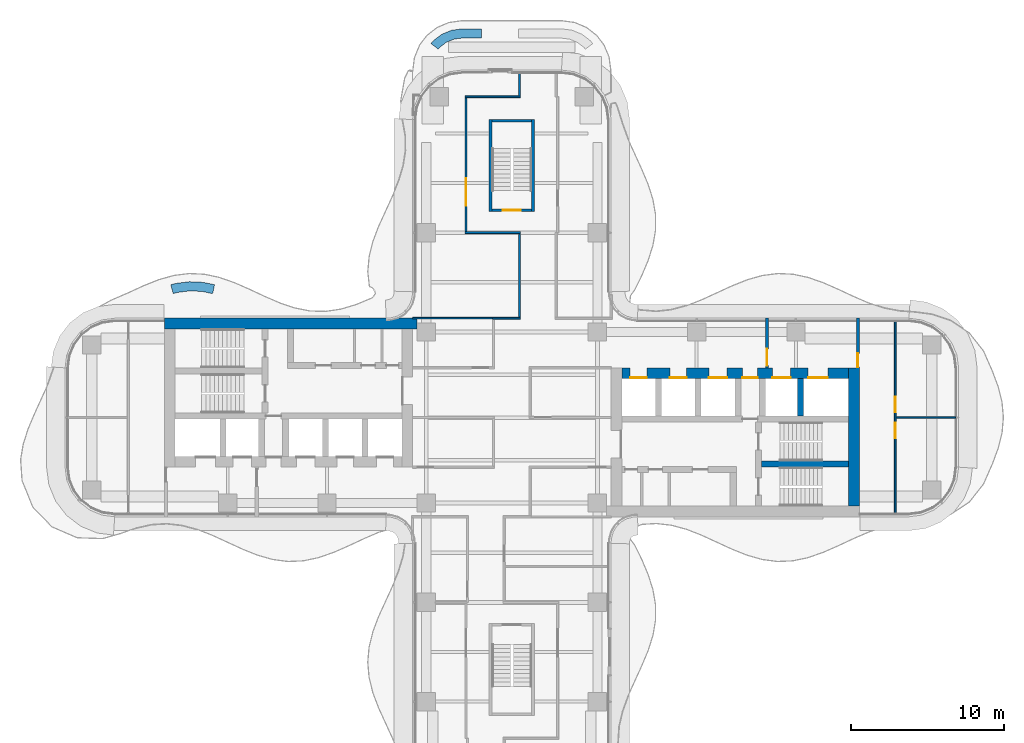
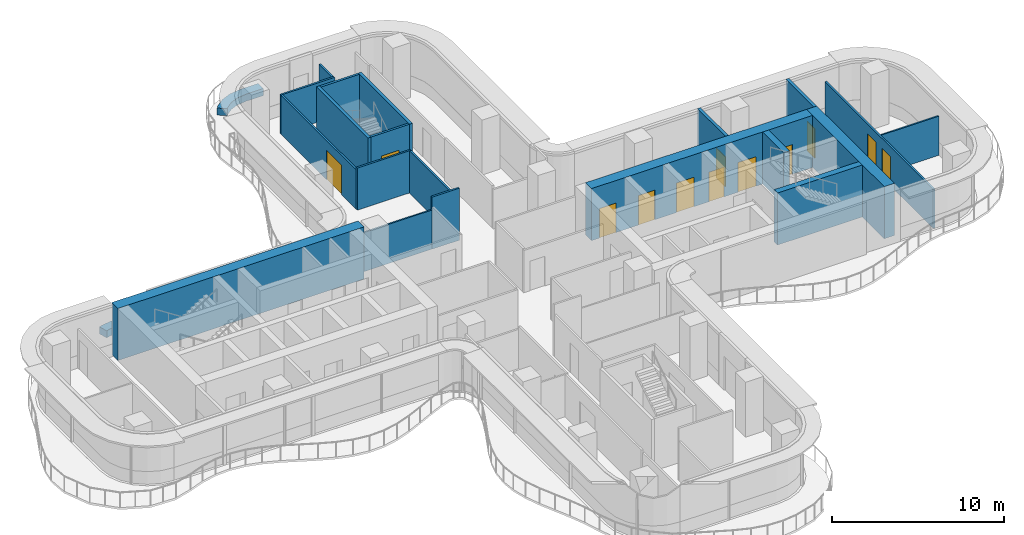
# One storey, part 14 of 17: 22 walls, 12 doors, 12 openings.
"""IFC4 building model written with IfcOpenShell, lengths in metres."""

from ifc_helpers import new_model, si_unit, direction, frame, frame_2d, origin, place, context, subcontext, project, spatial, polyline, rectangle, outline, extrude, source, transform, mapped, material, layer, layer_set, type_object, element, fill, save


model = new_model("IFC4")

# Units and contexts
model_context = context("Model", 3, precision=1e-05, world=origin(), true_north=direction((0.0, 1.0)))
body_context = subcontext(model_context, "Body", "Model", "MODEL_VIEW")
ifc_project = project(units=[si_unit("LENGTHUNIT", "METRE"), si_unit("AREAUNIT", "SQUARE_METRE"), si_unit("VOLUMEUNIT", "CUBIC_METRE"), si_unit("PLANEANGLEUNIT", "RADIAN"), si_unit("MASSUNIT", "GRAM", prefix="KILO")], contexts=[model_context])

# Site, building, storey
site_placement = place(None, origin())
site = spatial("IfcSite", under=ifc_project, at=site_placement, CompositionType="ELEMENT")
building_placement = place(site_placement, origin())
building = spatial("IfcBuilding", under=site, at=building_placement, Name="Trellis Farm Tower", CompositionType="ELEMENT")
storey_placement = place(building_placement, frame((0.0, 0.0, 185.39990234375)))
storey = spatial("IfcBuildingStorey", under=building, at=storey_placement, Name="L40", CompositionType="ELEMENT", Elevation=185.39990234375)

# Walls
ifc_material_1 = material(Name="Sandstone faced masonry planter", Category="masonry")
ifc_layer_1 = layer(ifc_material_1, 0.60009765625)
ifc_layer_set_1 = layer_set([ifc_layer_1], Name="PLANTER BED 600")
wall_type_1 = type_object("IfcWallType", Name="PLANTER BED 600", PredefinedType="USERDEFINED", material=ifc_layer_set_1)
placement = place(storey_placement, origin())
element("IfcWall", 1, at=placement, inside=storey, type_object=wall_type_1, Name="PLANTER bed", ObjectType="PLANTER", PredefinedType="USERDEFINED", context=body_context, shape_type="SweptSolid", body=[
    extrude(outline(polyline([(-4.59765625, 25.084228515625), (-3.947509765625, 25.353515625), (-3.214111328125, 25.449951171875), (-1.969970703125, 25.449951171875), (-1.969970703125, 24.85009765625), (-3.174560546875, 24.85009765625), (-3.791015625, 24.768798828125), (-4.294921875, 24.56005859375), (-4.727783203125, 24.227783203125), (-4.814697265625, 24.114990234375), (-5.29052734375, 24.480224609375), (-5.15576171875, 24.65576171875), (-4.59765625, 25.084228515625)])), origin(), (0.0, 0.0, 1.0), 0.5),
])
element("IfcWall", 2, at=placement, inside=storey, type_object=wall_type_1, Name="PLANTER bed", ObjectType="PLANTER", PredefinedType="USERDEFINED", context=body_context, shape_type="SweptSolid", body=[
    extrude(outline(polyline([(-21.1083984375, 8.89208984375), (-20.204833984375, 8.8505859375), (-19.462158203125, 8.693603515625), (-19.586181640625, 8.1064453125), (-20.28125, 8.25341796875), (-21.083984375, 8.29052734375), (-21.898681640625, 8.186767578125), (-22.1650390625, 8.111328125), (-22.32861328125, 8.688720703125), (-22.01904296875, 8.7763671875), (-21.1083984375, 8.89208984375)])), origin(), (0.0, 0.0, 1.0), 0.5),
])
ifc_material_2 = material(Name="Concrete C70/85", Category="concrete")
ifc_layer_2 = layer(ifc_material_2, 0.699951171875)
ifc_layer_set_2 = layer_set([ifc_layer_2], Name="CORE OUTER WALL 700 CONCRETE C70/85")
wall_type_2 = type_object("IfcWallType", Name="CORE OUTER WALL 700 CONCRETE C70/85", PredefinedType="SHEAR", material=ifc_layer_set_2)
shared_shape_1 = source(origin(), body_context, "Body", "SweptSolid", [
    extrude(rectangle(XDim=9.050048828125, YDim=0.699951171875, at=frame_2d((4.52490234375, 0.0))), origin(), (0.0, 0.0, 1.0), 3.7001953125),
])
wall_3_placement = place(storey_placement, frame((22.39990234375, -5.800048828125, 0.0), z_axis=(0.0, 0.0, 1.0), x_axis=(0.0, 1.0, 0.0)))
element("IfcWall", 3, at=wall_3_placement, inside=storey, type_object=wall_type_2, Name="Core wall", PredefinedType="SHEAR", context=body_context, shape_type="MappedRepresentation", body=[
    mapped(shared_shape_1, transform((0.0, 0.0, 0.0))),
])
ifc_layer_3 = layer(ifc_material_2, 0.39990234375)
ifc_layer_set_3 = layer_set([ifc_layer_3], Name="CORE INNER WALL 400 CONCRETE C70/85")
wall_type_3 = type_object("IfcWallType", Name="CORE INNER WALL 400 CONCRETE C70/85", PredefinedType="SHEAR", material=ifc_layer_set_3)
shared_shape_2 = source(origin(), body_context, "Body", "SweptSolid", [
    extrude(rectangle(XDim=2.449951171875, YDim=0.39990234375, at=frame_2d((1.22509765625, 0.0))), origin(), (0.0, 0.0, 1.0), 3.7001953125),
])
wall_4_placement = place(storey_placement, frame((18.89990234375, 0.10009765625, 0.0), z_axis=(0.0, 0.0, 1.0), x_axis=(0.0, 1.0, 0.0)))
element("IfcWall", 4, at=wall_4_placement, inside=storey, type_object=wall_type_3, Name="Core wall", PredefinedType="SHEAR", context=body_context, shape_type="MappedRepresentation", body=[
    mapped(shared_shape_2, transform((0.0, 0.0, 0.0))),
])

# Wall, opening, door
ifc_material_3 = material(Name="Masonry blockwork", Category="masonry")
ifc_layer_4 = layer(ifc_material_3, 0.199951171875)
ifc_layer_set_4 = layer_set([ifc_layer_4], Name="FIRE LOBBY PARTITION 200 BLOCKWORK")
wall_type_4 = type_object("IfcWallType", Name="FIRE LOBBY PARTITION 200 BLOCKWORK", PredefinedType="PARTITIONING", material=ifc_layer_set_4)
shared_shape_3 = source(origin(), body_context, "Body", "SweptSolid", [
    extrude(rectangle(XDim=3.25, YDim=0.199951171875, at=frame_2d((1.625, 0.0))), origin(), (0.0, 0.0, 1.0), 3.7001953125),
])
wall_5_placement = place(storey_placement, frame((16.699951171875, 3.25, 0.0), z_axis=(0.0, 0.0, 1.0), x_axis=(0.0, 1.0, 0.0)))
wall_5 = element("IfcWall", 5, at=wall_5_placement, inside=storey, type_object=wall_type_4, Name="Fire-fighting lobby partition", PredefinedType="PARTITIONING", context=body_context, shape_type="MappedRepresentation", body=[
    mapped(shared_shape_3, transform((0.0, 0.0, 0.0))),
])
shared_shape_4 = source(origin(), body_context, "Body", "SweptSolid", [
    extrude(rectangle(XDim=1.10009765625, YDim=2.10009765625, at=frame_2d((0.550048828125, 1.050048828125))), frame((0.0, 0.110107421875, 0.0), z_axis=(0.0, -1.0, 0.0), x_axis=(1.0, 0.0, 0.0)), (0.0, 0.0, 1.0), 0.22021484375),
])
opening_1_placement = place(wall_5_placement, frame((0.14990234375, 0.0, 0.0)))
opening_1 = element("IfcOpeningElement", 6, at=opening_1_placement, cuts=wall_5, Name="Opening DC7", PredefinedType="OPENING", context=body_context, shape_type="MappedRepresentation", body=[
    mapped(shared_shape_4, transform((0.0, 0.0, 0.0))),
])
ifc_material_4 = material(Name="Steel", Category="steel")
door_type_1 = type_object("IfcDoorType", Name="CORE FIRE DOOR 1100 X 2100", OperationType="NOTDEFINED", PredefinedType="DOOR", material=ifc_material_4)
shared_shape_5 = source(origin(), body_context, "Body", "SweptSolid", [
    extrude(rectangle(XDim=1.10009765625, YDim=2.10009765625, at=frame_2d((0.550048828125, 1.050048828125))), frame((0.0, 0.02490234375, 0.0), z_axis=(0.0, -1.0, 0.0), x_axis=(1.0, 0.0, 0.0)), (0.0, 0.0, 1.0), 0.050048828125),
])
door_1_placement = place(opening_1_placement, origin())
door_1 = element("IfcDoor", 7, at=door_1_placement, inside=storey, type_object=door_type_1, Name="Core door", OperationType="SINGLE_SWING_RIGHT", OverallHeight=2.10009765625, OverallWidth=1.10009765625, PredefinedType="DOOR", context=body_context, shape_type="MappedRepresentation", body=[
    mapped(shared_shape_5, transform((0.0, 0.0, 0.0))),
])
fill(opening_1, door_1)

wall_6_placement = place(storey_placement, frame((22.64990234375, 3.25, 0.0), z_axis=(0.0, 0.0, 1.0), x_axis=(0.0, 1.0, 0.0)))
wall_6 = element("IfcWall", 8, at=wall_6_placement, inside=storey, type_object=wall_type_4, Name="Fire-fighting lobby partition", PredefinedType="PARTITIONING", context=body_context, shape_type="MappedRepresentation", body=[
    mapped(shared_shape_3, transform((0.0, 0.0, 0.0))),
])
shared_shape_6 = source(origin(), body_context, "Body", "SweptSolid", [
    extrude(rectangle(XDim=0.89990234375, YDim=2.10009765625, at=frame_2d((0.449951171875, 1.050048828125))), frame((0.0, 0.110107421875, 0.0), z_axis=(0.0, -1.0, 0.0), x_axis=(1.0, 0.0, 0.0)), (0.0, 0.0, 1.0), 0.22021484375),
])
opening_2_placement = place(wall_6_placement, frame((0.050048828125, 0.0, 0.0)))
opening_2 = element("IfcOpeningElement", 9, at=opening_2_placement, cuts=wall_6, Name="Opening DC8", PredefinedType="OPENING", context=body_context, shape_type="MappedRepresentation", body=[
    mapped(shared_shape_6, transform((0.0, 0.0, 0.0))),
])
door_type_2 = type_object("IfcDoorType", Name="CORE FIRE DOOR 900 X 2100", OperationType="NOTDEFINED", PredefinedType="DOOR", material=ifc_material_4)
shared_shape_7 = source(origin(), body_context, "Body", "SweptSolid", [
    extrude(rectangle(XDim=0.89990234375, YDim=2.10009765625, at=frame_2d((0.449951171875, 1.050048828125))), frame((0.0, 0.02490234375, 0.0), z_axis=(0.0, -1.0, 0.0), x_axis=(1.0, 0.0, 0.0)), (0.0, 0.0, 1.0), 0.050048828125),
])
door_2_placement = place(opening_2_placement, origin())
door_2 = element("IfcDoor", 10, at=door_2_placement, inside=storey, type_object=door_type_2, Name="Core door", OperationType="SINGLE_SWING_RIGHT", OverallHeight=2.10009765625, OverallWidth=0.89990234375, PredefinedType="DOOR", context=body_context, shape_type="MappedRepresentation", body=[
    mapped(shared_shape_7, transform((0.0, 0.0, 0.0))),
])
fill(opening_2, door_2)

# Wall
shared_shape_8 = source(origin(), body_context, "Body", "SweptSolid", [
    extrude(rectangle(XDim=16.550048828125, YDim=0.699951171875, at=frame_2d((8.27490234375, 0.0))), origin(), (0.0, 0.0, 1.0), 3.7001953125),
])
wall_7_placement = place(storey_placement, frame((-6.199951171875, 6.14990234375, 0.0), z_axis=(0.0, 0.0, 1.0), x_axis=(-1.0, 0.0, 0.0)))
element("IfcWall", 11, at=wall_7_placement, inside=storey, type_object=wall_type_2, Name="Core wall", PredefinedType="SHEAR", context=body_context, shape_type="MappedRepresentation", body=[
    mapped(shared_shape_8, transform((0.0, 0.0, 0.0))),
])

# Wall, openings, doors
shared_shape_9 = source(origin(), body_context, "Body", "SweptSolid", [
    extrude(rectangle(XDim=14.85009765625, YDim=0.699951171875, at=frame_2d((7.425048828125, 0.0))), origin(), (0.0, 0.0, 1.0), 3.7001953125),
])
wall_8_placement = place(storey_placement, frame((7.199951171875, 2.89990234375, 0.0), z_axis=(0.0, 0.0, 1.0), x_axis=(1.0, 0.0, 0.0)))
wall_8 = element("IfcWall", 12, at=wall_8_placement, inside=storey, type_object=wall_type_2, Name="Core wall", PredefinedType="SHEAR", context=body_context, shape_type="MappedRepresentation", body=[
    mapped(shared_shape_9, transform((0.0, 0.0, 0.0))),
])
shared_shape_10 = source(origin(), body_context, "Body", "SweptSolid", [
    extrude(rectangle(XDim=1.10009765625, YDim=2.10009765625, at=frame_2d((0.550048828125, 1.050048828125))), frame((0.0, 0.360107421875, 0.0), z_axis=(0.0, -1.0, 0.0), x_axis=(1.0, 0.0, 0.0)), (0.0, 0.0, 1.0), 0.72021484375),
])
opening_3_placement = place(wall_8_placement, frame((0.550048828125, 0.0, 0.0)))
opening_3 = element("IfcOpeningElement", 13, at=opening_3_placement, cuts=wall_8, Name="Opening LD4", PredefinedType="OPENING", context=body_context, shape_type="MappedRepresentation", body=[
    mapped(shared_shape_10, transform((0.0, 0.0, 0.0))),
])
opening_4_placement = place(wall_8_placement, frame((3.14990234375, 0.0, 0.0)))
opening_4 = element("IfcOpeningElement", 14, at=opening_4_placement, cuts=wall_8, Name="Opening LD5", PredefinedType="OPENING", context=body_context, shape_type="MappedRepresentation", body=[
    mapped(shared_shape_10, transform((0.0, 0.0, 0.0))),
])
shared_shape_11 = source(origin(), body_context, "Body", "SweptSolid", [
    extrude(rectangle(XDim=1.199951171875, YDim=2.10009765625, at=frame_2d((0.60009765625, 1.050048828125))), frame((0.0, 0.360107421875, 0.0), z_axis=(0.0, -1.0, 0.0), x_axis=(1.0, 0.0, 0.0)), (0.0, 0.0, 1.0), 0.72021484375),
])
opening_5_placement = place(wall_8_placement, frame((5.699951171875, 0.0, 0.0)))
opening_5 = element("IfcOpeningElement", 15, at=opening_5_placement, cuts=wall_8, Name="Opening LD6", PredefinedType="OPENING", context=body_context, shape_type="MappedRepresentation", body=[
    mapped(shared_shape_11, transform((0.0, 0.0, 0.0))),
])
shared_shape_12 = source(origin(), body_context, "Body", "SweptSolid", [
    extrude(rectangle(XDim=1.300048828125, YDim=2.10009765625, at=frame_2d((0.64990234375, 1.050048828125))), frame((0.0, 0.360107421875, 0.0), z_axis=(0.0, -1.0, 0.0), x_axis=(1.0, 0.0, 0.0)), (0.0, 0.0, 1.0), 0.72021484375),
])
opening_6_placement = place(wall_8_placement, frame((12.199951171875, 0.0, 0.0)))
opening_6 = element("IfcOpeningElement", 16, at=opening_6_placement, cuts=wall_8, Name="Opening LD7", PredefinedType="OPENING", context=body_context, shape_type="MappedRepresentation", body=[
    mapped(shared_shape_12, transform((0.0, 0.0, 0.0))),
])
opening_7_placement = place(wall_8_placement, frame((9.85009765625, 0.0, 0.0)))
opening_7 = element("IfcOpeningElement", 17, at=opening_7_placement, cuts=wall_8, Name="Opening LD8", PredefinedType="OPENING", context=body_context, shape_type="MappedRepresentation", body=[
    mapped(shared_shape_11, transform((0.0, 0.0, 0.0))),
])
shared_shape_13 = source(origin(), body_context, "Body", "SweptSolid", [
    extrude(rectangle(XDim=1.0, YDim=2.10009765625, at=frame_2d((0.5, 1.050048828125))), frame((0.0, 0.360107421875, 0.0), z_axis=(0.0, -1.0, 0.0), x_axis=(1.0, 0.0, 0.0)), (0.0, 0.0, 1.0), 0.72021484375),
])
opening_8_placement = place(wall_8_placement, frame((7.89990234375, 0.0, 0.0)))
opening_8 = element("IfcOpeningElement", 18, at=opening_8_placement, cuts=wall_8, Name="Opening DC6", PredefinedType="OPENING", context=body_context, shape_type="MappedRepresentation", body=[
    mapped(shared_shape_13, transform((0.0, 0.0, 0.0))),
])
door_type_3 = type_object("IfcDoorType", Name="CORE FIRE DOOR 1000 X 2100", OperationType="NOTDEFINED", PredefinedType="DOOR", material=ifc_material_4)
shared_shape_14 = source(origin(), body_context, "Body", "SweptSolid", [
    extrude(rectangle(XDim=1.0, YDim=2.10009765625, at=frame_2d((0.5, 1.050048828125))), frame((0.0, -0.27490234375, 0.0), z_axis=(0.0, -1.0, 0.0), x_axis=(1.0, 0.0, 0.0)), (0.0, 0.0, 1.0), 0.050048828125),
])
door_3_placement = place(opening_8_placement, origin())
door_3 = element("IfcDoor", 19, at=door_3_placement, inside=storey, type_object=door_type_3, Name="Core door", OperationType="SINGLE_SWING_LEFT", OverallHeight=2.10009765625, OverallWidth=1.0, PredefinedType="DOOR", context=body_context, shape_type="MappedRepresentation", body=[
    mapped(shared_shape_14, transform((0.0, 0.0, 0.0))),
])
fill(opening_8, door_3)
ifc_material_5 = material(Name="Stainless steel", Category="steel")
door_type_4 = type_object("IfcDoorType", Name="LIFT LANDING DOOR 1300 X 2100", OperationType="DOUBLE_DOOR_SLIDING", PredefinedType="DOOR", material=ifc_material_5)
shared_shape_15 = source(origin(), body_context, "Body", "SweptSolid", [
    extrude(rectangle(XDim=1.300048828125, YDim=2.10009765625, at=frame_2d((0.64990234375, 1.050048828125))), frame((0.0, -0.27490234375, 0.0), z_axis=(0.0, -1.0, 0.0), x_axis=(1.0, 0.0, 0.0)), (0.0, 0.0, 1.0), 0.050048828125),
])
door_4_placement = place(opening_6_placement, origin())
door_4 = element("IfcDoor", 20, at=door_4_placement, inside=storey, type_object=door_type_4, Name="Lift landing door", OperationType="DOUBLE_DOOR_SLIDING", OverallHeight=2.10009765625, OverallWidth=1.300048828125, PredefinedType="DOOR", context=body_context, shape_type="MappedRepresentation", body=[
    mapped(shared_shape_15, transform((0.0, 0.0, 0.0))),
])
fill(opening_6, door_4)
door_type_5 = type_object("IfcDoorType", Name="LIFT LANDING DOOR 1200 X 2100", OperationType="DOUBLE_DOOR_SLIDING", PredefinedType="DOOR", material=ifc_material_5)
shared_shape_16 = source(origin(), body_context, "Body", "SweptSolid", [
    extrude(rectangle(XDim=1.199951171875, YDim=2.10009765625, at=frame_2d((0.60009765625, 1.050048828125))), frame((0.0, -0.27490234375, 0.0), z_axis=(0.0, -1.0, 0.0), x_axis=(1.0, 0.0, 0.0)), (0.0, 0.0, 1.0), 0.050048828125),
])
door_5_placement = place(opening_5_placement, origin())
door_5 = element("IfcDoor", 21, at=door_5_placement, inside=storey, type_object=door_type_5, Name="Lift landing door", OperationType="DOUBLE_DOOR_SLIDING", OverallHeight=2.10009765625, OverallWidth=1.199951171875, PredefinedType="DOOR", context=body_context, shape_type="MappedRepresentation", body=[
    mapped(shared_shape_16, transform((0.0, 0.0, 0.0))),
])
fill(opening_5, door_5)
door_6_placement = place(opening_7_placement, origin())
door_6 = element("IfcDoor", 22, at=door_6_placement, inside=storey, type_object=door_type_5, Name="Lift landing door", OperationType="DOUBLE_DOOR_SLIDING", OverallHeight=2.10009765625, OverallWidth=1.199951171875, PredefinedType="DOOR", context=body_context, shape_type="MappedRepresentation", body=[
    mapped(shared_shape_16, transform((0.0, 0.0, 0.0))),
])
fill(opening_7, door_6)
door_type_6 = type_object("IfcDoorType", Name="LIFT LANDING DOOR 1100 X 2100", OperationType="DOUBLE_DOOR_SLIDING", PredefinedType="DOOR", material=ifc_material_5)
shared_shape_17 = source(origin(), body_context, "Body", "SweptSolid", [
    extrude(rectangle(XDim=1.10009765625, YDim=2.10009765625, at=frame_2d((0.550048828125, 1.050048828125))), frame((0.0, -0.27490234375, 0.0), z_axis=(0.0, -1.0, 0.0), x_axis=(1.0, 0.0, 0.0)), (0.0, 0.0, 1.0), 0.050048828125),
])
door_7_placement = place(opening_3_placement, origin())
door_7 = element("IfcDoor", 23, at=door_7_placement, inside=storey, type_object=door_type_6, Name="Lift landing door", OperationType="DOUBLE_DOOR_SLIDING", OverallHeight=2.10009765625, OverallWidth=1.10009765625, PredefinedType="DOOR", context=body_context, shape_type="MappedRepresentation", body=[
    mapped(shared_shape_17, transform((0.0, 0.0, 0.0))),
])
fill(opening_3, door_7)
door_8_placement = place(opening_4_placement, origin())
door_8 = element("IfcDoor", 24, at=door_8_placement, inside=storey, type_object=door_type_6, Name="Lift landing door", OperationType="DOUBLE_DOOR_SLIDING", OverallHeight=2.10009765625, OverallWidth=1.10009765625, PredefinedType="DOOR", context=body_context, shape_type="MappedRepresentation", body=[
    mapped(shared_shape_17, transform((0.0, 0.0, 0.0))),
])
fill(opening_4, door_8)

# Walls
shared_shape_18 = source(origin(), body_context, "Body", "SweptSolid", [
    extrude(rectangle(XDim=5.699951171875, YDim=0.39990234375, at=frame_2d((2.85009765625, 0.0))), origin(), (0.0, 0.0, 1.0), 3.7001953125),
])
wall_9_placement = place(storey_placement, frame((16.35009765625, -3.050048828125, 0.0), z_axis=(0.0, 0.0, 1.0), x_axis=(1.0, 0.0, 0.0)))
element("IfcWall", 25, at=wall_9_placement, inside=storey, type_object=wall_type_3, Name="Core wall", PredefinedType="SHEAR", context=body_context, shape_type="MappedRepresentation", body=[
    mapped(shared_shape_18, transform((0.0, 0.0, 0.0))),
])
ifc_layer_5 = layer(ifc_material_2, 0.199951171875)
ifc_layer_set_5 = layer_set([ifc_layer_5], Name="CORE STAIR ENCLOSURE WALL 200 CONCRETE C70/85")
wall_type_5 = type_object("IfcWallType", Name="CORE STAIR ENCLOSURE WALL 200 CONCRETE C70/85", PredefinedType="SHEAR", material=ifc_layer_set_5)
shared_shape_19 = source(origin(), body_context, "Body", "SweptSolid", [
    extrude(rectangle(XDim=6.0, YDim=0.199951171875, at=frame_2d((3.0, 0.0))), origin(), (0.0, 0.0, 1.0), 3.7001953125),
])
for number, where, z_axis, x_axis, name in (
    (26, (-1.39990234375, 13.5, 0.0), (0.0, 0.0, 1.0), (0.0, 1.0, 0.0), "Stair enclosure wall"),
    (27, (1.39990234375, 13.5, 0.0), (0.0, 0.0, 1.0), (0.0, 1.0, 0.0), "Stair enclosure wall"),
):
    element("IfcWall", number, at=place(storey_placement, frame(where, z_axis=z_axis, x_axis=x_axis)), inside=storey, type_object=wall_type_5, Name=name, PredefinedType="SHEAR", context=body_context, shape_type="MappedRepresentation", body=[
        mapped(shared_shape_19, transform((0.0, 0.0, 0.0))),
    ])

# Wall, opening, door
ifc_layer_6 = layer(ifc_material_2, 0.14990234375)
ifc_layer_set_6 = layer_set([ifc_layer_6], Name="CORE STAIR ENCLOSURE WALL 150 CONCRETE C70/85")
wall_type_6 = type_object("IfcWallType", Name="CORE STAIR ENCLOSURE WALL 150 CONCRETE C70/85", PredefinedType="SHEAR", material=ifc_layer_set_6)
shared_shape_20 = source(origin(), body_context, "Body", "SweptSolid", [
    extrude(rectangle(XDim=2.60009765625, YDim=0.14990234375, at=frame_2d((1.300048828125, 0.0))), origin(), (0.0, 0.0, 1.0), 3.7001953125),
])
wall_10_placement = place(storey_placement, frame((-1.300048828125, 13.574951171875, 0.0), z_axis=(0.0, 0.0, 1.0), x_axis=(1.0, 0.0, 0.0)))
wall_10 = element("IfcWall", 28, at=wall_10_placement, inside=storey, type_object=wall_type_6, Name="Stair enclosure wall", PredefinedType="SHEAR", context=body_context, shape_type="MappedRepresentation", body=[
    mapped(shared_shape_20, transform((0.0, 0.0, 0.0))),
])
shared_shape_21 = source(origin(), body_context, "Body", "SweptSolid", [
    extrude(rectangle(XDim=1.199951171875, YDim=2.10009765625, at=frame_2d((0.60009765625, 1.050048828125))), frame((0.0, 0.0849609375, 0.0), z_axis=(0.0, -1.0, 0.0), x_axis=(1.0, 0.0, 0.0)), (0.0, 0.0, 1.0), 0.169921875),
])
opening_9_placement = place(wall_10_placement, frame((0.699951171875, 0.0, 0.0)))
opening_9 = element("IfcOpeningElement", 29, at=opening_9_placement, cuts=wall_10, Name="Opening DC173", PredefinedType="OPENING", context=body_context, shape_type="MappedRepresentation", body=[
    mapped(shared_shape_21, transform((0.0, 0.0, 0.0))),
])
door_type_7 = type_object("IfcDoorType", Name="CORE FIRE DOOR 1200 X 2100", OperationType="NOTDEFINED", PredefinedType="DOOR", material=ifc_material_4)
shared_shape_22 = source(origin(), body_context, "Body", "SweptSolid", [
    extrude(rectangle(XDim=1.199951171875, YDim=2.10009765625, at=frame_2d((0.60009765625, 1.050048828125))), frame((0.0, 0.02490234375, 0.0), z_axis=(0.0, -1.0, 0.0), x_axis=(1.0, 0.0, 0.0)), (0.0, 0.0, 1.0), 0.050048828125),
])
door_9_placement = place(opening_9_placement, origin())
door_9 = element("IfcDoor", 30, at=door_9_placement, inside=storey, type_object=door_type_7, Name="Core door", OperationType="SINGLE_SWING_LEFT", OverallHeight=2.10009765625, OverallWidth=1.199951171875, PredefinedType="DOOR", context=body_context, shape_type="MappedRepresentation", body=[
    mapped(shared_shape_22, transform((0.0, 0.0, 0.0))),
])
fill(opening_9, door_9)

# Walls
wall_11_placement = place(storey_placement, frame((-1.300048828125, 19.425048828125, 0.0), z_axis=(0.0, 0.0, 1.0), x_axis=(1.0, 0.0, 0.0)))
element("IfcWall", 31, at=wall_11_placement, inside=storey, type_object=wall_type_6, Name="Stair enclosure wall", PredefinedType="SHEAR", context=body_context, shape_type="MappedRepresentation", body=[
    mapped(shared_shape_20, transform((0.0, 0.0, 0.0))),
])
ifc_material_6 = material(Name="Plasterboard on steel studs, mineral wool", Category="steel")
ifc_layer_7 = layer(ifc_material_6, 0.125)
ifc_layer_set_7 = layer_set([ifc_layer_7], Name="PARTITION 125 STUD EI 60")
wall_type_7 = type_object("IfcWallType", Name="PARTITION 125 STUD EI 60", PredefinedType="PARTITIONING", material=ifc_layer_set_7)
shared_shape_23 = source(origin(), body_context, "Body", "SweptSolid", [
    extrude(rectangle(XDim=5.47509765625, YDim=0.125, at=frame_2d((2.737548828125, 0.0))), origin(), (0.0, 0.0, 1.0), 2.99658203125),
])
wall_12_placement = place(storey_placement, frame((0.5, 12.03759765625, 0.0), z_axis=(0.0, 0.0, 1.0), x_axis=(0.0, -1.0, 0.0)))
element("IfcWall", 32, at=wall_12_placement, inside=storey, type_object=wall_type_7, Name="Partition PW1", PredefinedType="PARTITIONING", context=body_context, shape_type="MappedRepresentation", body=[
    mapped(shared_shape_23, transform((0.0, 0.0, 0.0))),
])

# Wall, openings, doors
shared_shape_24 = source(origin(), body_context, "Body", "SweptSolid", [
    extrude(rectangle(XDim=12.60009765625, YDim=0.125, at=frame_2d((6.300048828125, 0.0))), origin(), (0.0, 0.0, 1.0), 2.780029296875),
])
wall_13_placement = place(storey_placement, frame((25.10009765625, 6.300048828125, 0.0), z_axis=(0.0, 0.0, 1.0), x_axis=(0.0, -1.0, 0.0)))
wall_13 = element("IfcWall", 33, at=wall_13_placement, inside=storey, type_object=wall_type_7, Name="Partition PW1", PredefinedType="PARTITIONING", context=body_context, shape_type="MappedRepresentation", body=[
    mapped(shared_shape_24, transform((0.0, 0.0, 0.0))),
])
shared_shape_25 = source(origin(), body_context, "Body", "SweptSolid", [
    extrude(rectangle(XDim=1.0, YDim=2.10009765625, at=frame_2d((0.5, 1.050048828125))), frame((0.0, 0.072509765625, 0.0), z_axis=(0.0, -1.0, 0.0), x_axis=(1.0, 0.0, 0.0)), (0.0, 0.0, 1.0), 0.14501953125),
])
opening_10_placement = place(wall_13_placement, frame((6.64990234375, 0.0, 0.0)))
opening_10 = element("IfcOpeningElement", 34, at=opening_10_placement, cuts=wall_13, Name="Opening D105", PredefinedType="OPENING", context=body_context, shape_type="MappedRepresentation", body=[
    mapped(shared_shape_25, transform((0.0, 0.0, 0.0))),
])
opening_11_placement = place(wall_13_placement, frame((4.949951171875, 0.0, 0.0)))
opening_11 = element("IfcOpeningElement", 35, at=opening_11_placement, cuts=wall_13, Name="Opening D107", PredefinedType="OPENING", context=body_context, shape_type="MappedRepresentation", body=[
    mapped(shared_shape_25, transform((0.0, 0.0, 0.0))),
])
ifc_material_7 = material(Name="Fire-rated timber door leaf in a hollow metal frame", Category="wood")
door_type_8 = type_object("IfcDoorType", Name="DOOR 1000x2100 FD30S", OperationType="NOTDEFINED", PredefinedType="DOOR", material=ifc_material_7)
shared_shape_26 = source(origin(), body_context, "Body", "SweptSolid", [
    extrude(rectangle(XDim=1.0, YDim=2.10009765625, at=frame_2d((0.5, 1.050048828125))), frame((0.0, 0.02490234375, 0.0), z_axis=(0.0, -1.0, 0.0), x_axis=(1.0, 0.0, 0.0)), (0.0, 0.0, 1.0), 0.050048828125),
])
door_10_placement = place(opening_10_placement, origin())
door_10 = element("IfcDoor", 36, at=door_10_placement, inside=storey, type_object=door_type_8, Name="Door D105", OperationType="SINGLE_SWING_LEFT", OverallHeight=2.10009765625, OverallWidth=1.0, PredefinedType="DOOR", context=body_context, shape_type="MappedRepresentation", body=[
    mapped(shared_shape_26, transform((0.0, 0.0, 0.0))),
])
fill(opening_10, door_10)
door_11_placement = place(opening_11_placement, origin())
door_11 = element("IfcDoor", 37, at=door_11_placement, inside=storey, type_object=door_type_8, Name="Door D107", OperationType="SINGLE_SWING_RIGHT", OverallHeight=2.10009765625, OverallWidth=1.0, PredefinedType="DOOR", context=body_context, shape_type="MappedRepresentation", body=[
    mapped(shared_shape_26, transform((0.0, 0.0, 0.0))),
])
fill(opening_11, door_11)

# Walls
ifc_material_8 = material(Name="Plasterboard on steel studs", Category="steel")
ifc_layer_8 = layer(ifc_material_8, 0.10009765625)
ifc_layer_set_8 = layer_set([ifc_layer_8], Name="PARTITION 100 STUD EI 30")
wall_type_8 = type_object("IfcWallType", Name="PARTITION 100 STUD EI 30", PredefinedType="PARTITIONING", material=ifc_layer_set_8)
shared_shape_27 = source(origin(), body_context, "Body", "SweptSolid", [
    extrude(rectangle(XDim=5.362548828125, YDim=0.10009765625, at=frame_2d((2.68115234375, 0.0))), origin(), (0.0, 0.0, 1.0), 2.780029296875),
])
wall_14_placement = place(storey_placement, frame((-6.5, 6.5, 0.0), z_axis=(0.0, 0.0, 1.0), x_axis=(1.0, 0.0, 0.0)))
element("IfcWall", 38, at=wall_14_placement, inside=storey, type_object=wall_type_8, Name="Partition PW2", PredefinedType="PARTITIONING", context=body_context, shape_type="MappedRepresentation", body=[
    mapped(shared_shape_27, transform((0.0, 0.0, 0.0))),
])
shared_shape_28 = source(origin(), body_context, "Body", "SweptSolid", [
    extrude(rectangle(XDim=3.625, YDim=0.125, at=frame_2d((1.8125, 0.0))), origin(), (0.0, 0.0, 1.0), 2.99658203125),
])
wall_15_placement = place(storey_placement, frame((0.5625, 12.10009765625, 0.0), z_axis=(0.0, 0.0, 1.0), x_axis=(-1.0, 0.0, 0.0)))
element("IfcWall", 39, at=wall_15_placement, inside=storey, type_object=wall_type_7, Name="Partition PW1", PredefinedType="PARTITIONING", context=body_context, shape_type="MappedRepresentation", body=[
    mapped(shared_shape_28, transform((0.0, 0.0, 0.0))),
])
shared_shape_29 = source(origin(), body_context, "Body", "SweptSolid", [
    extrude(rectangle(XDim=3.887451171875, YDim=0.10009765625, at=frame_2d((1.94384765625, 0.0))), origin(), (0.0, 0.0, 1.0), 2.780029296875),
])
wall_16_placement = place(storey_placement, frame((25.16259765625, 0.0, 0.0), z_axis=(0.0, 0.0, 1.0), x_axis=(1.0, 0.0, 0.0)))
element("IfcWall", 40, at=wall_16_placement, inside=storey, type_object=wall_type_8, Name="Partition PW2", PredefinedType="PARTITIONING", context=body_context, shape_type="MappedRepresentation", body=[
    mapped(shared_shape_29, transform((0.0, 0.0, 0.0))),
])
shared_shape_30 = source(origin(), body_context, "Body", "SweptSolid", [
    extrude(rectangle(XDim=1.824951171875, YDim=0.125, at=frame_2d((0.91259765625, 0.0))), origin(), (0.0, 0.0, 1.0), 3.7001953125),
])
wall_17_placement = place(storey_placement, frame((-1.262451171875, 6.5, 0.0), z_axis=(0.0, 0.0, 1.0), x_axis=(1.0, 0.0, 0.0)))
element("IfcWall", 41, at=wall_17_placement, inside=storey, type_object=wall_type_7, Name="Partition PW1", PredefinedType="PARTITIONING", context=body_context, shape_type="MappedRepresentation", body=[
    mapped(shared_shape_30, transform((0.0, 0.0, 0.0))),
])

# Wall, opening, door
shared_shape_31 = source(origin(), body_context, "Body", "SweptSolid", [
    extrude(rectangle(XDim=8.77490234375, YDim=0.125, at=frame_2d((4.387451171875, 0.0))), origin(), (0.0, 0.0, 1.0), 2.780029296875),
])
wall_18_placement = place(storey_placement, frame((-3.0, 12.16259765625, 0.0), z_axis=(0.0, 0.0, 1.0), x_axis=(0.0, 1.0, 0.0)))
wall_18 = element("IfcWall", 42, at=wall_18_placement, inside=storey, type_object=wall_type_7, Name="Partition PW1", PredefinedType="PARTITIONING", context=body_context, shape_type="MappedRepresentation", body=[
    mapped(shared_shape_31, transform((0.0, 0.0, 0.0))),
])
shared_shape_32 = source(origin(), body_context, "Body", "SweptSolid", [
    extrude(rectangle(XDim=1.800048828125, YDim=2.10009765625, at=frame_2d((0.89990234375, 1.050048828125))), frame((0.0, 0.072509765625, 0.0), z_axis=(0.0, -1.0, 0.0), x_axis=(1.0, 0.0, 0.0)), (0.0, 0.0, 1.0), 0.14501953125),
])
opening_12_placement = place(wall_18_placement, frame((1.6875, 0.0, 0.0)))
opening_12 = element("IfcOpeningElement", 43, at=opening_12_placement, cuts=wall_18, Name="Opening D203", PredefinedType="OPENING", context=body_context, shape_type="MappedRepresentation", body=[
    mapped(shared_shape_32, transform((0.0, 0.0, 0.0))),
])
door_type_9 = type_object("IfcDoorType", Name="DOOR PAIR 1800x2100 FD30S", OperationType="NOTDEFINED", PredefinedType="DOOR", material=ifc_material_7)
shared_shape_33 = source(origin(), body_context, "Body", "SweptSolid", [
    extrude(rectangle(XDim=1.800048828125, YDim=2.10009765625, at=frame_2d((0.89990234375, 1.050048828125))), frame((0.0, 0.02490234375, 0.0), z_axis=(0.0, -1.0, 0.0), x_axis=(1.0, 0.0, 0.0)), (0.0, 0.0, 1.0), 0.050048828125),
])
door_12_placement = place(opening_12_placement, origin())
door_12 = element("IfcDoor", 44, at=door_12_placement, inside=storey, type_object=door_type_9, Name="Door D203", OperationType="DOUBLE_DOOR_SINGLE_SWING", OverallHeight=2.10009765625, OverallWidth=1.800048828125, PredefinedType="DOOR", context=body_context, shape_type="MappedRepresentation", body=[
    mapped(shared_shape_33, transform((0.0, 0.0, 0.0))),
])
fill(opening_12, door_12)

# Walls
shared_shape_34 = source(origin(), body_context, "Body", "SweptSolid", [
    extrude(rectangle(XDim=1.487548828125, YDim=0.125, at=frame_2d((0.74365234375, 0.0))), origin(), (0.0, 0.0, 1.0), 2.780029296875),
])
wall_19_placement = place(storey_placement, frame((0.5, 22.550048828125, 0.0), z_axis=(0.0, 0.0, 1.0), x_axis=(0.0, -1.0, 0.0)))
element("IfcWall", 45, at=wall_19_placement, inside=storey, type_object=wall_type_7, Name="Partition PW1", PredefinedType="PARTITIONING", context=body_context, shape_type="MappedRepresentation", body=[
    mapped(shared_shape_34, transform((0.0, 0.0, 0.0))),
])
shared_shape_35 = source(origin(), body_context, "Body", "SweptSolid", [
    extrude(rectangle(XDim=3.625, YDim=0.125, at=frame_2d((1.8125, 0.0))), origin(), (0.0, 0.0, 1.0), 2.780029296875),
])
wall_20_placement = place(storey_placement, frame((-3.0625, 21.0, 0.0), z_axis=(0.0, 0.0, 1.0), x_axis=(1.0, 0.0, 0.0)))
element("IfcWall", 46, at=wall_20_placement, inside=storey, type_object=wall_type_7, Name="Partition PW1", PredefinedType="PARTITIONING", context=body_context, shape_type="MappedRepresentation", body=[
    mapped(shared_shape_35, transform((0.0, 0.0, 0.0))),
])

save(model, "model.ifc")
